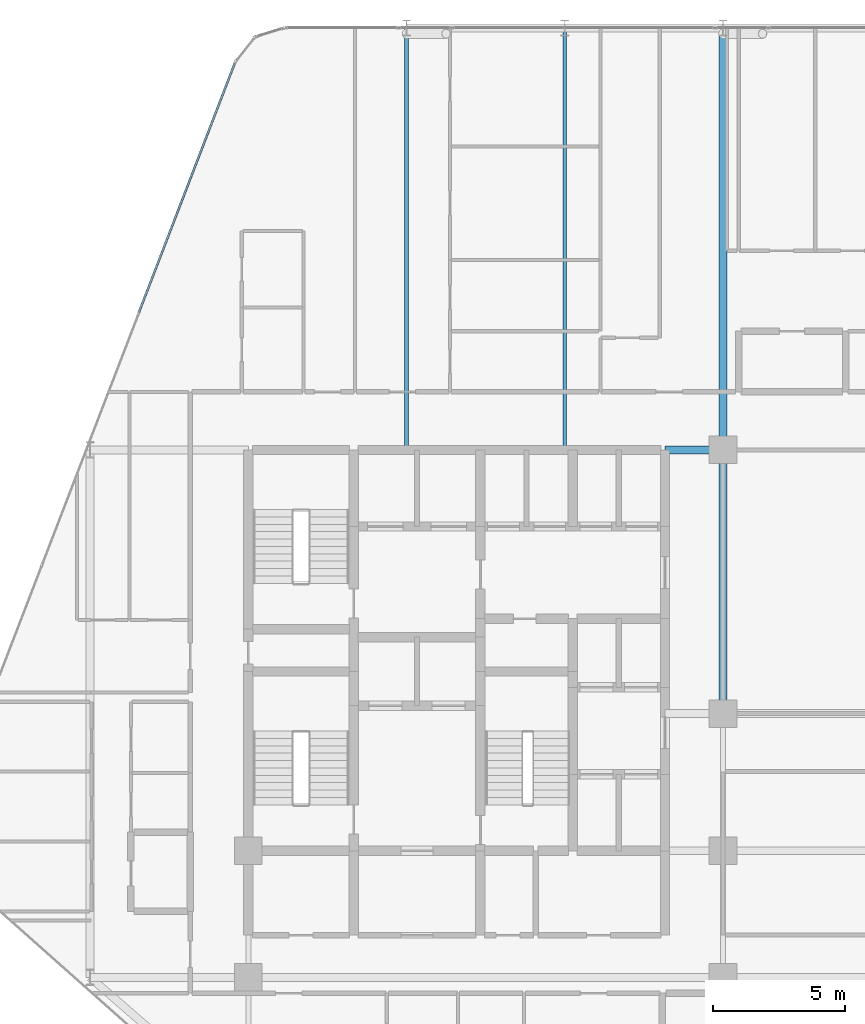
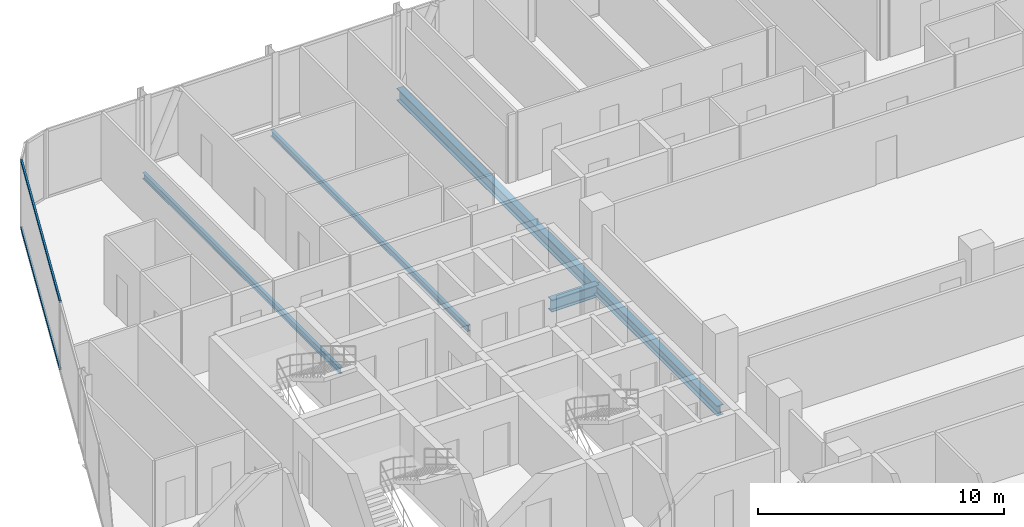
# One storey, part 15 of 29: 5 beams, 2 members, 1 element without a shape of its own.
"""IFC4 building model written with IfcOpenShell, lengths in metres."""

from ifc_helpers import new_model, si_unit, direction, frame, origin, origin_2d, place, context, subcontext, project, spatial, hollow_rectangle, i_section, extrude, material, layer, layer_set, material_profile, profile_set, type_object, element, aggregate, save


model = new_model("IFC4")

# Units and contexts
model_context = context("Model", 3, precision=1e-05, world=origin(), true_north=direction((0.0, 1.0)))
body_context = subcontext(model_context, "Body", "Model", "MODEL_VIEW")
ifc_project = project(units=[si_unit("LENGTHUNIT", "METRE"), si_unit("AREAUNIT", "SQUARE_METRE"), si_unit("VOLUMEUNIT", "CUBIC_METRE"), si_unit("PLANEANGLEUNIT", "RADIAN"), si_unit("MASSUNIT", "GRAM", prefix="KILO")], contexts=[model_context])

# Site, building, storey
site_placement = place(None, origin())
site = spatial("IfcSite", under=ifc_project, at=site_placement, CompositionType="ELEMENT")
building_placement = place(site_placement, origin())
building = spatial("IfcBuilding", under=site, at=building_placement, Name="Keshet Zoharim Tower", CompositionType="ELEMENT")
storey_placement = place(building_placement, frame((0.0, 0.0, 98.300048828125)))
storey = spatial("IfcBuildingStorey", under=building, at=storey_placement, Name="L23", CompositionType="ELEMENT", Elevation=98.300048828125)

# Beams
ifc_material_1 = material(Name="Steel S355", Category="steel")
ifc_material_profile_1 = material_profile(ifc_material_1, i_section(OverallWidth=0.300048828125, OverallDepth=0.60009765625, WebThickness=0.015380859375, FlangeThickness=0.030029296875, FilletRadius=0.027099609375, at=origin_2d()), Name="HEB600")
ifc_profile_set_1 = profile_set([ifc_material_profile_1], Name="Steel S355")
beam_type_1 = type_object("IfcBeamType", Name="BM-CLK-HB600", PredefinedType="BEAM", material=ifc_profile_set_1)
beam_1_placement = place(storey_placement, frame((30.800048828125, 37.89990234375, -0.614990234375), z_axis=(1.0, 0.0, 0.0), x_axis=(0.0, 1.0, 0.0)))
element("IfcBeam", 1, at=beam_1_placement, inside=storey, type_object=beam_type_1, Name="L23 Core Wall Link Girder 03", PredefinedType="BEAM", context=body_context, shape_type="SweptSolid", body=[
    extrude(i_section(OverallWidth=0.300048828125, OverallDepth=0.60009765625, WebThickness=0.015380859375, FlangeThickness=0.030029296875, FilletRadius=0.027099609375, at=origin_2d()), origin(), (0.0, 0.0, 1.0), 2.199951171875),
])
ifc_material_profile_2 = material_profile(ifc_material_1, i_section(OverallWidth=0.14990234375, OverallDepth=0.300048828125, WebThickness=0.007080078125, FlangeThickness=0.0107421875, FilletRadius=0.014892578125, at=origin_2d()), Name="IPE300")
ifc_profile_set_2 = profile_set([ifc_material_profile_2], Name="Steel S355")
beam_type_2 = type_object("IfcBeamType", Name="BM-JST-IP300", PredefinedType="JOIST", material=ifc_profile_set_2)
for number, where, z_axis, x_axis, name in (
    (2, (21.0, 37.89990234375, -0.465087890625), (0.0, 1.0, 0.0), (-1.0, 0.0, 0.0), "L23 Secondary Floor Joist J-001"),
    (3, (27.0, 37.89990234375, -0.465087890625), (0.0, 1.0, 0.0), (-1.0, 0.0, 0.0), "L23 Secondary Floor Joist J-002"),
):
    element("IfcBeam", number, at=place(storey_placement, frame(where, z_axis=z_axis, x_axis=x_axis)), inside=storey, type_object=beam_type_2, Name=name, PredefinedType="JOIST", context=body_context, shape_type="SweptSolid", body=[
        extrude(i_section(OverallWidth=0.14990234375, OverallDepth=0.300048828125, WebThickness=0.007080078125, FlangeThickness=0.0107421875, FilletRadius=0.014892578125, at=origin_2d()), origin(), (0.0, 0.0, 1.0), 16.0),
    ])
ifc_material_profile_3 = material_profile(ifc_material_1, i_section(OverallWidth=0.300048828125, OverallDepth=0.60009765625, WebThickness=0.015380859375, FlangeThickness=0.030029296875, FilletRadius=0.027099609375, at=origin_2d()), Name="HEB600")
ifc_profile_set_3 = profile_set([ifc_material_profile_3], Name="Steel S355")
beam_type_3 = type_object("IfcBeamType", Name="BM-LNG-HB600", PredefinedType="BEAM", material=ifc_profile_set_3)
beam_2_placement = place(storey_placement, frame((33.0, 37.89990234375, -0.614990234375), z_axis=(0.0, 1.0, 0.0), x_axis=(-1.0, 0.0, 0.0)))
element("IfcBeam", 4, at=beam_2_placement, inside=storey, type_object=beam_type_3, Name="L23 Primary Girder Y-011", PredefinedType="BEAM", context=body_context, shape_type="SweptSolid", body=[
    extrude(i_section(OverallWidth=0.300048828125, OverallDepth=0.60009765625, WebThickness=0.015380859375, FlangeThickness=0.030029296875, FilletRadius=0.027099609375, at=origin_2d()), origin(), (0.0, 0.0, 1.0), 16.0),
])
ifc_material_profile_4 = material_profile(ifc_material_1, i_section(OverallWidth=0.300048828125, OverallDepth=0.5, WebThickness=0.014404296875, FlangeThickness=0.028076171875, FilletRadius=0.027099609375, at=origin_2d()), Name="HEB500")
ifc_profile_set_4 = profile_set([ifc_material_profile_4], Name="Steel S355")
beam_type_4 = type_object("IfcBeamType", Name="BM-MED-HB500", PredefinedType="BEAM", material=ifc_profile_set_4)
beam_3_placement = place(storey_placement, frame((33.0, 27.89990234375, -0.56494140625), z_axis=(0.0, 1.0, 0.0), x_axis=(-1.0, 0.0, 0.0)))
element("IfcBeam", 5, at=beam_3_placement, inside=storey, type_object=beam_type_4, Name="L23 Primary Girder Y-010", PredefinedType="BEAM", context=body_context, shape_type="SweptSolid", body=[
    extrude(i_section(OverallWidth=0.300048828125, OverallDepth=0.5, WebThickness=0.014404296875, FlangeThickness=0.028076171875, FilletRadius=0.027099609375, at=origin_2d()), origin(), (0.0, 0.0, 1.0), 10.0),
])

# Curtain wall, members
ifc_material_2 = material(Name="Aluminium 6063-T6", Category="aluminium")
ifc_layer = layer(ifc_material_2, 0.159912109375)
ifc_layer_set = layer_set([ifc_layer], Name="Aluminium 6063-T6")
curtain_wall_type = type_object("IfcCurtainWallType", Name="CW-SYS-03", PredefinedType="NOTDEFINED", material=ifc_layer_set)
curtain_wall_placement = place(storey_placement, origin())
curtain_wall = element("IfcCurtainWall", 6, at=curtain_wall_placement, inside=storey, type_object=curtain_wall_type, Name="L23 Unitised Curtain Wall 10", PredefinedType="NOTDEFINED")
ifc_material_profile_5 = material_profile(ifc_material_2, hollow_rectangle(XDim=0.080078125, YDim=0.139892578125, WallThickness=0.00390625, at=origin_2d()), Name="TRN-80x140")
ifc_profile_set_5 = profile_set([ifc_material_profile_5], Name="Aluminium 6063-T6")
member_type = type_object("IfcMemberType", Name="CWT-T14", PredefinedType="USERDEFINED", material=ifc_profile_set_5)
member_1_placement = place(storey_placement, frame((10.849609375, 43.10888671875, 0.034912109375), z_axis=(0.358985546764, 0.933343118694, 0.0), x_axis=(-0.933343118694, 0.358985546764, 0.0)))
member_1 = element("IfcMember", 7, at=member_1_placement, type_object=member_type, Name="CW-03 transom 3.1", ObjectType="TRANSOM", PredefinedType="USERDEFINED", context=body_context, shape_type="SweptSolid", body=[
    extrude(hollow_rectangle(XDim=0.080078125, YDim=0.139892578125, WallThickness=0.00390625, at=origin_2d()), origin(), (0.0, 0.0, 1.0), 10.118408203125),
])
member_2_placement = place(storey_placement, frame((10.849609375, 43.10888671875, 3.349853515625), z_axis=(0.358985546764, 0.933343118694, 0.0), x_axis=(-0.933343118694, 0.358985546764, 0.0)))
member_2 = element("IfcMember", 8, at=member_2_placement, type_object=member_type, Name="CW-03 transom 3.2", ObjectType="TRANSOM", PredefinedType="USERDEFINED", context=body_context, shape_type="SweptSolid", body=[
    extrude(hollow_rectangle(XDim=0.080078125, YDim=0.139892578125, WallThickness=0.00390625, at=origin_2d()), origin(), (0.0, 0.0, 1.0), 10.118408203125),
])
aggregate(curtain_wall, [member_1, member_2])

save(model, "model.ifc")
